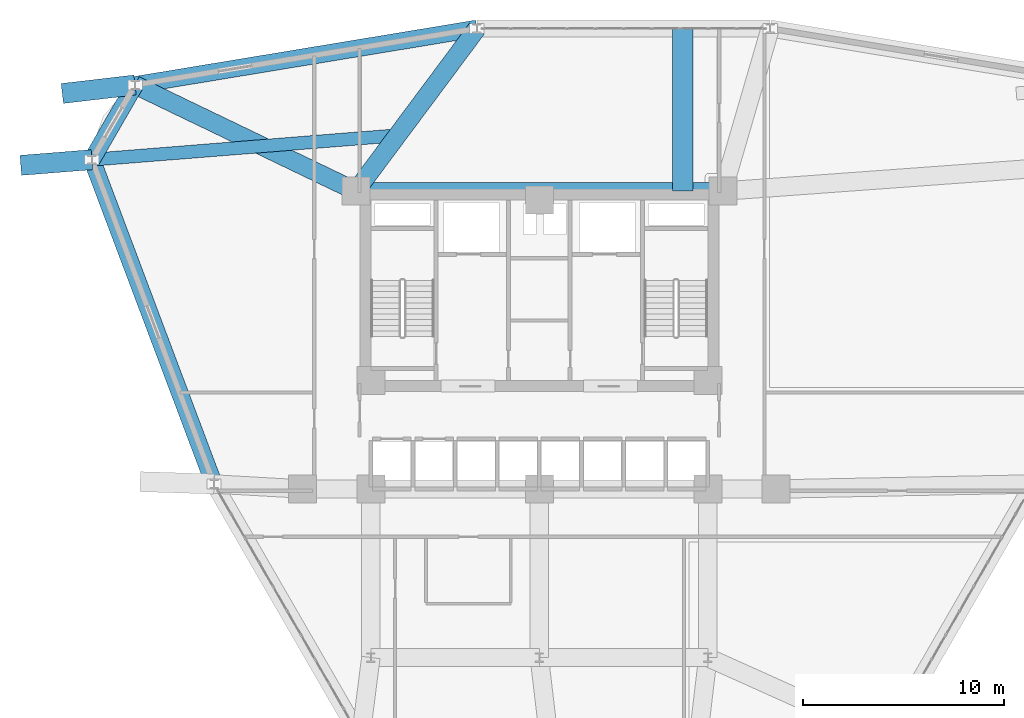
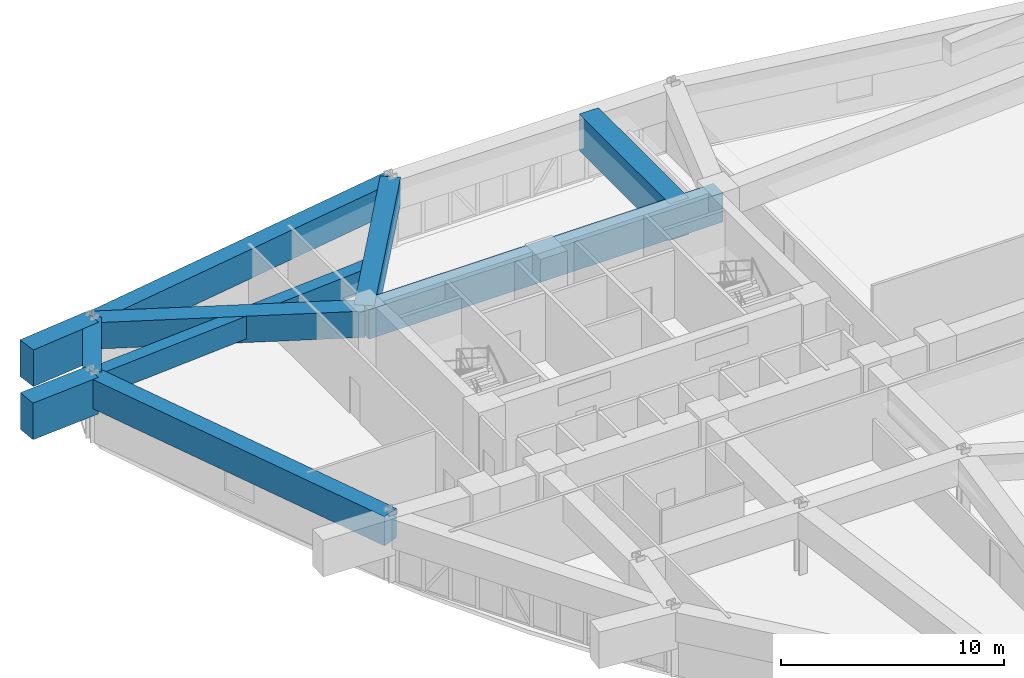
# One storey, part 9 of 18: 10 beams.
"""IFC4 building model written with IfcOpenShell, lengths in metres."""

from ifc_helpers import new_model, si_unit, derived_unit, direction, frame, origin, origin_2d, place, context, subcontext, project, spatial, rectangle, extrude, source, transform, mapped, material, material_profile, profile_set, type_object, element, save


model = new_model("IFC4")

# Units and contexts
model_context = context("Model", 3, precision=1e-05, world=origin(), true_north=direction((0.0, 1.0)))
body_context = subcontext(model_context, "Body", "Model", "MODEL_VIEW")
ifc_project = project(units=[si_unit("LENGTHUNIT", "METRE"), si_unit("AREAUNIT", "SQUARE_METRE"), si_unit("VOLUMEUNIT", "CUBIC_METRE"), si_unit("PLANEANGLEUNIT", "RADIAN"), si_unit("MASSUNIT", "GRAM", prefix="KILO"), derived_unit("THERMALTRANSMITTANCEUNIT", [(si_unit("POWERUNIT", "WATT"), 1), (si_unit("LENGTHUNIT", "METRE"), -2), (si_unit("THERMODYNAMICTEMPERATUREUNIT", "KELVIN"), -1)])], contexts=[model_context])

# Site, building, storey
site_placement = place(None, origin())
site = spatial("IfcSite", under=ifc_project, at=site_placement, CompositionType="ELEMENT")
building_placement = place(site_placement, origin())
building = spatial("IfcBuilding", under=site, at=building_placement, Name="Korsvarv Bourse and Concert Hall", CompositionType="ELEMENT")
storey_placement = place(building_placement, frame((0.0, 0.0, 95.10009765625)))
storey = spatial("IfcBuildingStorey", under=building, at=storey_placement, Name="L23", CompositionType="ELEMENT", Elevation=95.10009765625)

# Beams
ifc_material_1 = material(Name="Concrete C55/67", Category="concrete")
ifc_material_profile_1 = material_profile(ifc_material_1, rectangle(XDim=0.85009765625, YDim=1.60009765625, at=origin_2d()), Name="RC-BM 850x1600")
ifc_profile_set_1 = profile_set([ifc_material_profile_1], Name="Concrete C55/67")
beam_type_1 = type_object("IfcBeamType", Name="BM-TR1B", PredefinedType="BEAM", material=ifc_profile_set_1)
shared_shape_1 = source(origin(), body_context, "Body", "SweptSolid", [
    extrude(rectangle(XDim=0.85009765625, YDim=1.60009765625, at=origin_2d()), origin(), (0.0, 0.0, 1.0), 18.2998046875),
])
beam_1_placement = place(storey_placement, frame((26.85009765625, 47.25, 2.869873046875), z_axis=(1.0, 0.0, 0.0), x_axis=(0.0, 1.0, 0.0)))
element("IfcBeam", 1, at=beam_1_placement, inside=storey, type_object=beam_type_1, Name="L23 beam B-TR2", PredefinedType="BEAM", context=body_context, shape_type="MappedRepresentation", body=[
    mapped(shared_shape_1, transform((0.0, 0.0, 0.0), scale=1.0)),
])
shared_shape_2 = source(origin(), body_context, "Body", "SweptSolid", [
    extrude(rectangle(XDim=0.85009765625, YDim=1.60009765625, at=origin_2d()), origin(), (0.0, 0.0, 1.0), 17.276123046875),
])
beam_2_placement = place(storey_placement, frame((13.695068359375, 48.819580078125, 2.869873046875), z_axis=(0.352273841442, -0.935896971165, 0.0), x_axis=(0.935896971165, 0.352273841442, 0.0)))
element("IfcBeam", 2, at=beam_2_placement, inside=storey, type_object=beam_type_1, Name="L23 beam B-TR2", PredefinedType="BEAM", context=body_context, shape_type="MappedRepresentation", body=[
    mapped(shared_shape_2, transform((0.0, 0.0, 0.0), scale=1.0)),
])
shared_shape_3 = source(origin(), body_context, "Body", "SweptSolid", [
    extrude(rectangle(XDim=0.85009765625, YDim=1.60009765625, at=origin_2d()), origin(), (0.0, 0.0, 1.0), 17.2763671875),
])
beam_3_placement = place(storey_placement, frame((32.89111328125, 55.35791015625, 2.869873046875), z_axis=(-0.986648245525, -0.162865710332, 0.0), x_axis=(0.162865710332, -0.986648245525, 0.0)))
element("IfcBeam", 3, at=beam_3_placement, inside=storey, type_object=beam_type_1, Name="L23 beam B-TR2", PredefinedType="BEAM", context=body_context, shape_type="MappedRepresentation", body=[
    mapped(shared_shape_3, transform((0.0, 0.0, 0.0), scale=1.0)),
])
shared_shape_4 = source(origin(), body_context, "Body", "SweptSolid", [
    extrude(rectangle(XDim=0.85009765625, YDim=1.60009765625, at=origin_2d()), origin(), (0.0, 0.0, 1.0), 4.30078125),
])
beam_4_placement = place(storey_placement, frame((15.845458984375, 52.544189453125, 2.869873046875), z_axis=(-0.499997628298, -0.866026773083, 0.0), x_axis=(0.866026773083, -0.499997628298, 0.0)))
element("IfcBeam", 4, at=beam_4_placement, inside=storey, type_object=beam_type_1, Name="L23 beam B-TR2", PredefinedType="BEAM", context=body_context, shape_type="MappedRepresentation", body=[
    mapped(shared_shape_4, transform((0.0, 0.0, 0.0), scale=1.0)),
])
ifc_material_2 = material(Name="Concrete C50/60", Category="concrete")
ifc_material_profile_2 = material_profile(ifc_material_2, rectangle(XDim=0.919921875, YDim=1.43994140625, at=origin_2d()), Name="RC-BM 920x1440")
ifc_profile_set_2 = profile_set([ifc_material_profile_2], Name="Concrete C50/60")
beam_type_2 = type_object("IfcBeamType", Name="BM-TR-144", PredefinedType="BEAM", material=ifc_profile_set_2)
shared_shape_5 = source(origin(), body_context, "Body", "SweptSolid", [
    extrude(rectangle(XDim=0.919921875, YDim=1.43994140625, at=origin_2d()), origin(), (0.0, 0.0, 1.0), 10.111083984375),
])
beam_5_placement = place(storey_placement, frame((32.89111328125, 55.35791015625, 2.949951171875), z_axis=(-0.597470362731, -0.801890993626, 0.0), x_axis=(0.801890993626, -0.597470362731, 0.0)))
element("IfcBeam", 5, at=beam_5_placement, inside=storey, type_object=beam_type_2, Name="L23 beam B-TR4", PredefinedType="BEAM", context=body_context, shape_type="MappedRepresentation", body=[
    mapped(shared_shape_5, transform((0.0, 0.0, 0.0), scale=1.0)),
])
shared_shape_6 = source(origin(), body_context, "Body", "SweptSolid", [
    extrude(rectangle(XDim=0.919921875, YDim=1.43994140625, at=origin_2d()), origin(), (0.0, 0.0, 1.0), 12.2119140625),
])
beam_6_placement = place(storey_placement, frame((15.845458984375, 52.544189453125, 2.949951171875), z_axis=(0.901140543649, -0.433527070195, 0.0), x_axis=(0.433527070195, 0.901140543649, 0.0)))
element("IfcBeam", 6, at=beam_6_placement, inside=storey, type_object=beam_type_2, Name="L23 beam B-TR4", PredefinedType="BEAM", context=body_context, shape_type="MappedRepresentation", body=[
    mapped(shared_shape_6, transform((0.0, 0.0, 0.0), scale=1.0)),
])
ifc_material_3 = material(Name="Concrete C60/75", Category="concrete")
ifc_material_profile_3 = material_profile(ifc_material_3, rectangle(XDim=1.0, YDim=2.0, at=origin_2d()), Name="RC-BM 1000x2000")
ifc_profile_set_3 = profile_set([ifc_material_profile_3], Name="Concrete C60/75")
beam_type_3 = type_object("IfcBeamType", Name="BM-TR1", PredefinedType="BEAM", material=ifc_profile_set_3)
shared_shape_7 = source(origin(), body_context, "Body", "SweptSolid", [
    extrude(rectangle(XDim=1.0, YDim=2.0, at=origin_2d()), origin(), (0.0, 0.0, 1.0), 8.10791015625),
])
beam_7_placement = place(storey_placement, frame((43.1494140625, 47.25, 2.669921875), z_axis=(0.0, 1.0, 0.0), x_axis=(-1.0, 0.0, 0.0)))
element("IfcBeam", 7, at=beam_7_placement, inside=storey, type_object=beam_type_3, Name="L23 Block-Shift Transverse Transfer Girder 3", PredefinedType="BEAM", context=body_context, shape_type="MappedRepresentation", body=[
    mapped(shared_shape_7, transform((0.0, 0.0, 0.0), scale=1.0)),
])
shared_shape_8 = source(origin(), body_context, "Body", "SweptSolid", [
    extrude(rectangle(XDim=1.0, YDim=2.0, at=origin_2d()), origin(), (0.0, 0.0, 1.0), 3.653076171875),
])
beam_8_placement = place(storey_placement, frame((15.845458984375, 52.544189453125, 2.669921875), z_axis=(-0.99321523244, -0.116290593126, 0.0), x_axis=(0.116290593126, -0.99321523244, 0.0)))
element("IfcBeam", 8, at=beam_8_placement, inside=storey, type_object=beam_type_3, Name="L23 Block-Shift Transfer Girder 5", PredefinedType="BEAM", context=body_context, shape_type="MappedRepresentation", body=[
    mapped(shared_shape_8, transform((0.0, 0.0, 0.0), scale=1.0)),
])
ifc_material_profile_4 = material_profile(ifc_material_2, rectangle(XDim=0.64990234375, YDim=1.239990234375, at=origin_2d()), Name="RC-BM 650x1240")
ifc_profile_set_4 = profile_set([ifc_material_profile_4], Name="Concrete C50/60")
beam_type_4 = type_object("IfcBeamType", Name="BM-TR-SPN", PredefinedType="BEAM", material=ifc_profile_set_4)
shared_shape_9 = source(origin(), body_context, "Body", "SweptSolid", [
    extrude(rectangle(XDim=0.64990234375, YDim=1.239990234375, at=origin_2d()), origin(), (0.0, 0.0, 1.0), 15.27734375),
])
beam_9_placement = place(storey_placement, frame((28.924072265625, 50.033447265625, 3.0498046875), z_axis=(-0.996838407071, -0.079455586264, 0.0), x_axis=(0.079455586264, -0.996838407071, 0.0)))
element("IfcBeam", 9, at=beam_9_placement, inside=storey, type_object=beam_type_4, Name="L23 beam B-TRS", PredefinedType="BEAM", context=body_context, shape_type="MappedRepresentation", body=[
    mapped(shared_shape_9, transform((0.0, 0.0, 0.0), scale=1.0)),
])
shared_shape_10 = source(origin(), body_context, "Body", "SweptSolid", [
    extrude(rectangle(XDim=1.0, YDim=2.0, at=origin_2d()), origin(), (0.0, 0.0, 1.0), 3.5576171875),
])
beam_10_placement = place(storey_placement, frame((13.695068359375, 48.819580078125, 2.669921875), z_axis=(-0.996837496263, -0.0794670123, 0.0), x_axis=(0.0794670123, -0.996837496263, 0.0)))
element("IfcBeam", 10, at=beam_10_placement, inside=storey, type_object=beam_type_3, Name="L23 Block-Shift Transfer Girder 6", PredefinedType="BEAM", context=body_context, shape_type="MappedRepresentation", body=[
    mapped(shared_shape_10, transform((0.0, 0.0, 0.0), scale=1.0)),
])

save(model, "model.ifc")
